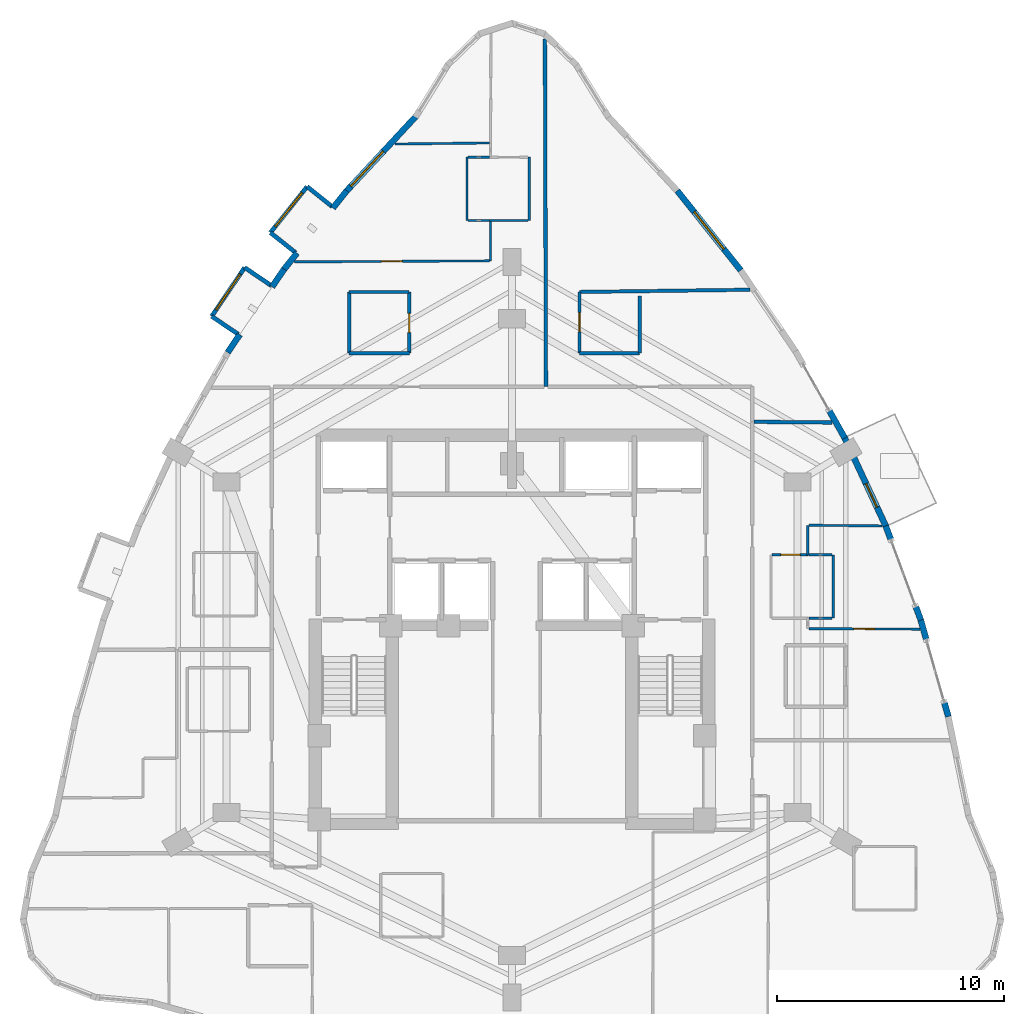
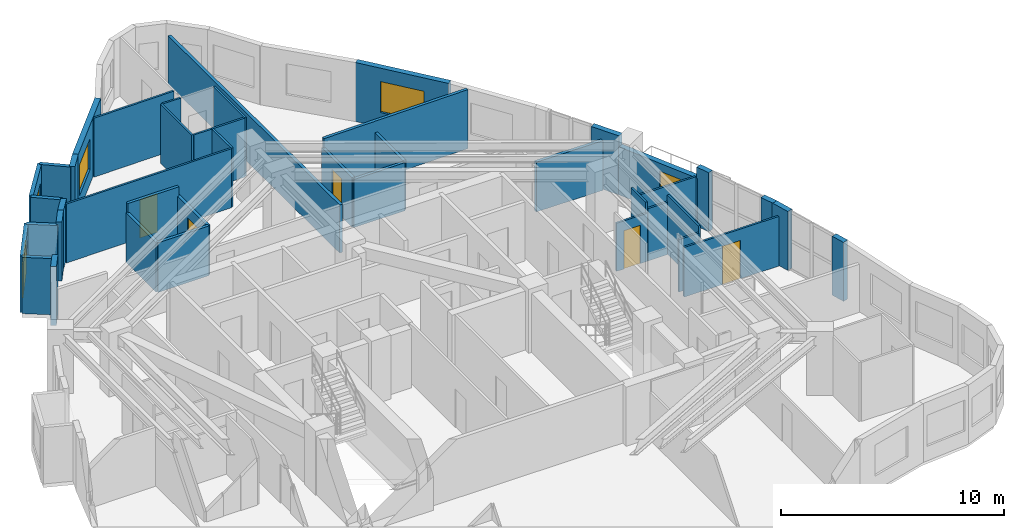
# One storey, part 12 of 14: 43 walls, 6 doors, 4 windows, 10 openings.
"""IFC4 building model written with IfcOpenShell, lengths in metres."""

from ifc_helpers import new_model, si_unit, direction, frame, frame_2d, origin, place, context, subcontext, project, spatial, rectangle, extrude, material, layer, layer_set, type_object, element, fill, save


model = new_model("IFC4")

# Units and contexts
model_context = context("Model", 3, precision=1e-05, world=origin(), true_north=direction((0.0, 1.0)))
body_context = subcontext(model_context, "Body", "Model", "MODEL_VIEW")
ifc_project = project(units=[si_unit("LENGTHUNIT", "METRE"), si_unit("AREAUNIT", "SQUARE_METRE"), si_unit("VOLUMEUNIT", "CUBIC_METRE"), si_unit("PLANEANGLEUNIT", "RADIAN"), si_unit("MASSUNIT", "GRAM", prefix="KILO")], contexts=[model_context])

# Site, building, storey
site_placement = place(None, origin())
site = spatial("IfcSite", under=ifc_project, at=site_placement, CompositionType="ELEMENT")
building_placement = place(site_placement, origin())
building = spatial("IfcBuilding", under=site, at=building_placement, Name="Miruveldt Soraemaru", CompositionType="ELEMENT")
storey_placement = place(building_placement, frame((0.0, 0.0, 142.39990234375)))
storey = spatial("IfcBuildingStorey", under=building, at=storey_placement, Name="L39", CompositionType="ELEMENT", Elevation=142.39990234375)

# Walls
ifc_material_1 = material(Name="White powder-coated aluminium EN AW-6060 T6", Category="aluminium")
ifc_layer_1 = layer(ifc_material_1, 0.18994140625, Name="White powder-coated aluminium EN AW-6060 T6", Category="aluminium")
ifc_layer_set_1 = layer_set([ifc_layer_1], Name="White powder-coated aluminium EN AW-6060 T6")
wall_type_1 = type_object("IfcWallType", Name="WALL-BAY-ALU190", PredefinedType="SOLIDWALL", material=ifc_layer_set_1)
wall_1_placement = place(storey_placement, frame((36.0712890625, 62.543701171875, 0.0), z_axis=(0.0, 0.0, 1.0), x_axis=(-0.781820714191, 0.623503304611, 0.0)))
element("IfcWall", 1, at=wall_1_placement, inside=storey, type_object=wall_type_1, Name="L39 Bay Window Side Cheek 3L", PredefinedType="SOLIDWALL", context=body_context, shape_type="SweptSolid", body=[
    extrude(rectangle(XDim=1.4248046875, YDim=0.18994140625, at=frame_2d((0.71240234375, 0.0))), origin(), (0.0, 0.0, 1.0), 3.235107421875),
])
wall_2_placement = place(storey_placement, frame((33.3359375, 61.399658203125, 0.0), z_axis=(0.0, 0.0, 1.0), x_axis=(0.781737193764, -0.623608017817, 0.0)))
element("IfcWall", 2, at=wall_2_placement, inside=storey, type_object=wall_type_1, Name="L39 Bay Window Side Cheek 3R", PredefinedType="SOLIDWALL", context=body_context, shape_type="SweptSolid", body=[
    extrude(rectangle(XDim=1.425048828125, YDim=0.18994140625, at=frame_2d((0.71240234375, 0.0))), origin(), (0.0, 0.0, 1.0), 3.235107421875),
])

# Wall, opening, window
wall_3_placement = place(storey_placement, frame((34.957275390625, 63.43212890625, 0.0), z_axis=(0.0, 0.0, 1.0), x_axis=(-0.623606546405, -0.781738367538, 0.0)))
wall_3 = element("IfcWall", 3, at=wall_3_placement, inside=storey, type_object=wall_type_1, Name="L39 Bay Window Front Frame 3", PredefinedType="SOLIDWALL", context=body_context, shape_type="SweptSolid", body=[
    extrude(rectangle(XDim=2.599853515625, YDim=0.18994140625, at=frame_2d((1.2998046875, 0.0))), origin(), (0.0, 0.0, 1.0), 3.235107421875),
])
opening_1_placement = place(wall_3_placement, frame((0.35009765625, 0.0, 0.550048828125)))
opening_1 = element("IfcOpeningElement", 4, at=opening_1_placement, cuts=wall_3, Name="Opening WN-6", PredefinedType="OPENING", context=body_context, shape_type="SweptSolid", body=[
    extrude(rectangle(XDim=1.89990234375, YDim=1.85009765625, at=frame_2d((0.949951171875, 0.925048828125))), frame((0.0, 0.10498046875, 0.0), z_axis=(0.0, -1.0, 0.0), x_axis=(1.0, 0.0, 0.0)), (0.0, 0.0, 1.0), 0.2099609375),
])
ifc_material_2 = material(Name="Triple low-e insulated glazing", Category="glass")
window_type_1 = type_object("IfcWindowType", Name="WIN-BAYW-1900x1850", PartitioningType="SINGLE_PANEL", PredefinedType="WINDOW", material=ifc_material_2)
window_1_placement = place(opening_1_placement, origin())
window_1 = element("IfcWindow", 5, at=window_1_placement, inside=storey, type_object=window_type_1, Name="L39 Projecting Bay Window 3", OverallHeight=1.85009765625, OverallWidth=1.89990234375, PartitioningType="SINGLE_PANEL", PredefinedType="WINDOW", context=body_context, shape_type="SweptSolid", body=[
    extrude(rectangle(XDim=1.89990234375, YDim=1.85009765625, at=frame_2d((0.949951171875, 0.925048828125))), frame((0.0, 0.030029296875, 0.0), z_axis=(0.0, -1.0, 0.0), x_axis=(1.0, 0.0, 0.0)), (0.0, 0.0, 1.0), 0.06005859375),
])
fill(opening_1, window_1)

# Walls
wall_4_placement = place(storey_placement, frame((33.380615234375, 59.059814453125, 0.0), z_axis=(0.0, 0.0, 1.0), x_axis=(-0.82794178844, 0.560814046681, 0.0)))
element("IfcWall", 6, at=wall_4_placement, inside=storey, type_object=wall_type_1, Name="L39 Bay Window Side Cheek 4L", PredefinedType="SOLIDWALL", context=body_context, shape_type="SweptSolid", body=[
    extrude(rectangle(XDim=1.4248046875, YDim=0.18994140625, at=frame_2d((0.71240234375, 0.0))), origin(), (0.0, 0.0, 1.0), 3.085205078125),
])
wall_5_placement = place(storey_placement, frame((30.742919921875, 57.706298828125, 0.0), z_axis=(0.0, 0.0, 1.0), x_axis=(0.827862228344, -0.560931485016, 0.0)))
element("IfcWall", 7, at=wall_5_placement, inside=storey, type_object=wall_type_1, Name="L39 Bay Window Side Cheek 4R", PredefinedType="SOLIDWALL", context=body_context, shape_type="SweptSolid", body=[
    extrude(rectangle(XDim=1.425048828125, YDim=0.18994140625, at=frame_2d((0.71240234375, 0.0))), origin(), (0.0, 0.0, 1.0), 3.085205078125),
])

# Wall, opening, window
wall_6_placement = place(storey_placement, frame((32.200927734375, 59.85888671875, 0.0), z_axis=(0.0, 0.0, 1.0), x_axis=(-0.560796235507, -0.827953852724, 0.0)))
wall_6 = element("IfcWall", 8, at=wall_6_placement, inside=storey, type_object=wall_type_1, Name="L39 Bay Window Front Frame 4", PredefinedType="SOLIDWALL", context=body_context, shape_type="SweptSolid", body=[
    extrude(rectangle(XDim=2.599853515625, YDim=0.18994140625, at=frame_2d((1.2998046875, 0.0))), origin(), (0.0, 0.0, 1.0), 3.085205078125),
])
opening_2_placement = place(wall_6_placement, frame((0.35009765625, 0.0, 0.550048828125)))
opening_2 = element("IfcOpeningElement", 9, at=opening_2_placement, cuts=wall_6, Name="Opening WN-6", PredefinedType="OPENING", context=body_context, shape_type="SweptSolid", body=[
    extrude(rectangle(XDim=1.89990234375, YDim=1.85009765625, at=frame_2d((0.949951171875, 0.925048828125))), frame((0.0, 0.10498046875, 0.0), z_axis=(0.0, -1.0, 0.0), x_axis=(1.0, 0.0, 0.0)), (0.0, 0.0, 1.0), 0.2099609375),
])
window_2_placement = place(opening_2_placement, origin())
window_2 = element("IfcWindow", 10, at=window_2_placement, inside=storey, type_object=window_type_1, Name="L39 Projecting Bay Window 4", OverallHeight=1.85009765625, OverallWidth=1.89990234375, PartitioningType="SINGLE_PANEL", PredefinedType="WINDOW", context=body_context, shape_type="SweptSolid", body=[
    extrude(rectangle(XDim=1.89990234375, YDim=1.85009765625, at=frame_2d((0.949951171875, 0.925048828125))), frame((0.0, 0.030029296875, 0.0), z_axis=(0.0, -1.0, 0.0), x_axis=(1.0, 0.0, 0.0)), (0.0, 0.0, 1.0), 0.06005859375),
])
fill(opening_2, window_2)

ifc_material_3 = material(Name="Precast concrete C45/55 (45 MPa)", Category="concrete")
ifc_layer_2 = layer(ifc_material_3, 0.27001953125, Name="Precast concrete C45/55 (45 MPa)", Category="concrete")
ifc_layer_set_2 = layer_set([ifc_layer_2], Name="Precast concrete C45/55 (45 MPa)")
wall_type_2 = type_object("IfcWallType", Name="WALL-EXT-PC270", PredefinedType="SOLIDWALL", material=ifc_layer_set_2)
wall_7_placement = place(storey_placement, frame((39.777099609375, 66.550537109375, 0.0), z_axis=(0.0, 0.0, 1.0), x_axis=(-0.680878509261, -0.732396378764, 0.0)))
wall_7 = element("IfcWall", 11, at=wall_7_placement, inside=storey, type_object=wall_type_2, Name="L39 Precast Concrete Facade Wall 7", PredefinedType="SOLIDWALL", context=body_context, shape_type="SweptSolid", body=[
    extrude(rectangle(XDim=4.577880859375, YDim=0.27001953125, at=frame_2d((2.2890625, 0.0))), origin(), (0.0, 0.0, 1.0), 3.235107421875),
])
opening_3_placement = place(wall_7_placement, frame((2.136962890625, 0.0, 0.800048828125)))
opening_3 = element("IfcOpeningElement", 12, at=opening_3_placement, cuts=wall_7, Name="Opening WN-1", PredefinedType="OPENING", context=body_context, shape_type="SweptSolid", body=[
    extrude(rectangle(XDim=2.10009765625, YDim=1.699951171875, at=frame_2d((1.050048828125, 0.85009765625))), frame((0.0, 0.14501953125, 0.0), z_axis=(0.0, -1.0, 0.0), x_axis=(1.0, 0.0, 0.0)), (0.0, 0.0, 1.0), 0.2900390625),
])
window_type_2 = type_object("IfcWindowType", Name="WIN-PUNCH-2100x1700", PartitioningType="SINGLE_PANEL", PredefinedType="WINDOW", material=ifc_material_2)
window_3_placement = place(opening_3_placement, origin())
window_3 = element("IfcWindow", 13, at=window_3_placement, inside=storey, type_object=window_type_2, Name="L39 Punched Triple-Glazed Window 07.1", OverallHeight=1.699951171875, OverallWidth=2.10009765625, PartitioningType="SINGLE_PANEL", PredefinedType="WINDOW", context=body_context, shape_type="SweptSolid", body=[
    extrude(rectangle(XDim=2.10009765625, YDim=1.699951171875, at=frame_2d((1.050048828125, 0.85009765625))), frame((0.0, 0.030029296875, 0.0), z_axis=(0.0, -1.0, 0.0), x_axis=(1.0, 0.0, 0.0)), (0.0, 0.0, 1.0), 0.06005859375),
])
fill(opening_3, window_3)

# Walls
wall_8_placement = place(storey_placement, frame((36.705810546875, 63.250732421875, 0.0), z_axis=(0.0, 0.0, 1.0), x_axis=(-0.62356848275, -0.781768730074, 0.0)))
element("IfcWall", 14, at=wall_8_placement, inside=storey, type_object=wall_type_2, Name="L39 Precast Pier Wall 8A", PredefinedType="SOLIDWALL", context=body_context, shape_type="SweptSolid", body=[
    extrude(rectangle(XDim=0.978515625, YDim=0.27001953125, at=frame_2d((0.4892578125, 0.0))), origin(), (0.0, 0.0, 1.0), 3.235107421875),
])
wall_9_placement = place(storey_placement, frame((34.51171875, 60.500244140625, 0.0), z_axis=(0.0, 0.0, 1.0), x_axis=(-0.623599331974, -0.781744122563, 0.0)))
element("IfcWall", 15, at=wall_9_placement, inside=storey, type_object=wall_type_2, Name="L39 Precast Pier Wall 8B", PredefinedType="SOLIDWALL", context=body_context, shape_type="SweptSolid", body=[
    extrude(rectangle(XDim=0.978759765625, YDim=0.27001953125, at=frame_2d((0.4892578125, 0.0))), origin(), (0.0, 0.0, 1.0), 3.235107421875),
])
for number, where, z_axis, x_axis, name in (
    (16, (33.94287109375, 59.79150390625, 0.0), (0.0, 0.0, 1.0), (-0.560904905039, -0.827880237415, 0.0), "L39 Precast Pier Wall 9A"),
    (17, (31.98486328125, 56.901123046875, 0.0), (0.0, 0.0, 1.0), (-0.560904905039, -0.827880237415, 0.0), "L39 Precast Pier Wall 9B"),
):
    element("IfcWall", number, at=place(storey_placement, frame(where, z_axis=z_axis, x_axis=x_axis)), inside=storey, type_object=wall_type_2, Name=name, PredefinedType="SOLIDWALL", context=body_context, shape_type="SweptSolid", body=[
        extrude(rectangle(XDim=0.950927734375, YDim=0.27001953125, at=frame_2d((0.4755859375, 0.0))), origin(), (0.0, 0.0, 1.0), 3.235107421875),
    ])
wall_10_placement = place(storey_placement, frame((63.260009765625, 40.038330078125, 0.0), z_axis=(0.0, 0.0, 1.0), x_axis=(-0.274904035169, 0.961471669602, 0.0)))
element("IfcWall", 18, at=wall_10_placement, inside=storey, type_object=wall_type_2, Name="L39 Precast Pier Left 36", PredefinedType="SOLIDWALL", context=body_context, shape_type="SweptSolid", body=[
    extrude(rectangle(XDim=0.705078125, YDim=0.27001953125, at=frame_2d((0.3525390625, 0.0))), origin(), (0.0, 0.0, 1.0), 3.235107421875),
])
wall_11_placement = place(storey_placement, frame((62.3037109375, 43.38232421875, 0.0), z_axis=(0.0, 0.0, 1.0), x_axis=(-0.27503753909, 0.961433488127, 0.0)))
element("IfcWall", 19, at=wall_11_placement, inside=storey, type_object=wall_type_2, Name="L39 Precast Pier Right 36", PredefinedType="SOLIDWALL", context=body_context, shape_type="SweptSolid", body=[
    extrude(rectangle(XDim=1.01904296875, YDim=0.27001953125, at=frame_2d((0.509521484375, 0.0))), origin(), (0.0, 0.0, 1.0), 3.235107421875),
])
wall_12_placement = place(storey_placement, frame((62.045166015625, 44.29541015625, 0.0), z_axis=(0.0, 0.0, 1.0), x_axis=(-0.348655911356, 0.937250796466, 0.0)))
element("IfcWall", 20, at=wall_12_placement, inside=storey, type_object=wall_type_2, Name="L39 Precast Pier Left 37", PredefinedType="SOLIDWALL", context=body_context, shape_type="SweptSolid", body=[
    extrude(rectangle(XDim=0.705078125, YDim=0.27001953125, at=frame_2d((0.3525390625, 0.0))), origin(), (0.0, 0.0, 1.0), 3.235107421875),
])
wall_13_placement = place(storey_placement, frame((60.740966796875, 47.797607421875, 0.0), z_axis=(0.0, 0.0, 1.0), x_axis=(-0.348960000238, 0.937137619688, 0.0)))
element("IfcWall", 21, at=wall_13_placement, inside=storey, type_object=wall_type_2, Name="L39 Precast Pier Right 37", PredefinedType="SOLIDWALL", context=body_context, shape_type="SweptSolid", body=[
    extrude(rectangle(XDim=0.705322265625, YDim=0.27001953125, at=frame_2d((0.3525390625, 0.0))), origin(), (0.0, 0.0, 1.0), 3.235107421875),
])

# Wall, opening, door
wall_14_placement = place(storey_placement, frame((60.521728515625, 48.393798828125, 0.0), z_axis=(0.0, 0.0, 1.0), x_axis=(-0.42228895576, 0.906461272114, 0.0)))
wall_14 = element("IfcWall", 22, at=wall_14_placement, inside=storey, type_object=wall_type_2, Name="L39 Precast Concrete Facade Wall 38", PredefinedType="SOLIDWALL", context=body_context, shape_type="SweptSolid", body=[
    extrude(rectangle(XDim=4.41455078125, YDim=0.27001953125, at=frame_2d((2.207275390625, 0.0))), origin(), (0.0, 0.0, 1.0), 2.635009765625),
])
opening_4_placement = place(wall_14_placement, frame((0.97607421875, 0.0, 0.0)))
opening_4 = element("IfcOpeningElement", 23, at=opening_4_placement, cuts=wall_14, Name="Opening TD-2", PredefinedType="OPENING", context=body_context, shape_type="SweptSolid", body=[
    extrude(rectangle(XDim=1.14990234375, YDim=2.199951171875, at=frame_2d((0.574951171875, 1.10009765625))), frame((0.0, 0.14501953125, 0.0), z_axis=(0.0, -1.0, 0.0), x_axis=(1.0, 0.0, 0.0)), (0.0, 0.0, 1.0), 0.2900390625),
])
ifc_material_4 = material(Name="Anodised aluminium EN AW-6063 T6", Category="aluminium")
door_type_1 = type_object("IfcDoorType", Name="DOOR-SG-1150", OperationType="NOTDEFINED", PredefinedType="DOOR", material=ifc_material_4)
door_1_placement = place(opening_4_placement, frame((1.14990234375, 0.0, 0.0), z_axis=(0.0, 0.0, 1.0), x_axis=(-1.0, 0.0, 0.0)))
door_1 = element("IfcDoor", 24, at=door_1_placement, inside=storey, type_object=door_type_1, Name="L39 Terrace Access Glazed Door 38", OperationType="SINGLE_SWING_RIGHT", OverallHeight=2.199951171875, OverallWidth=1.14990234375, PredefinedType="DOOR", context=body_context, shape_type="SweptSolid", body=[
    extrude(rectangle(XDim=1.14990234375, YDim=2.199951171875, at=frame_2d((0.574951171875, 1.10009765625))), frame((0.0, 0.02490234375, 0.0), z_axis=(0.0, -1.0, 0.0), x_axis=(1.0, 0.0, 0.0)), (0.0, 0.0, 1.0), 0.050048828125),
])
fill(opening_4, door_1)

# Wall
wall_15_placement = place(storey_placement, frame((58.689697265625, 52.333251953125, 0.0), z_axis=(0.0, 0.0, 1.0), x_axis=(-0.493474907716, 0.869760033259, 0.0)))
element("IfcWall", 25, at=wall_15_placement, inside=storey, type_object=wall_type_2, Name="L39 Precast Pier Left 39", PredefinedType="SOLIDWALL", context=body_context, shape_type="SweptSolid", body=[
    extrude(rectangle(XDim=1.4521484375, YDim=0.27001953125, at=frame_2d((0.72607421875, 0.0))), origin(), (0.0, 0.0, 1.0), 3.235107421875),
])

# Wall, opening, window
wall_16_placement = place(storey_placement, frame((54.0986328125, 59.735107421875, 0.0), z_axis=(0.0, 0.0, 1.0), x_axis=(-0.623602063154, 0.781741943886, 0.0)))
wall_16 = element("IfcWall", 26, at=wall_16_placement, inside=storey, type_object=wall_type_2, Name="L39 Precast Concrete Facade Wall 41", PredefinedType="SOLIDWALL", context=body_context, shape_type="SweptSolid", body=[
    extrude(rectangle(XDim=4.4970703125, YDim=0.27001953125, at=frame_2d((2.24853515625, 0.0))), origin(), (0.0, 0.0, 1.0), 3.235107421875),
])
opening_5_placement = place(wall_16_placement, frame((1.197998046875, 0.0, 0.800048828125)))
opening_5 = element("IfcOpeningElement", 27, at=opening_5_placement, cuts=wall_16, Name="Opening WN-1", PredefinedType="OPENING", context=body_context, shape_type="SweptSolid", body=[
    extrude(rectangle(XDim=2.10009765625, YDim=1.699951171875, at=frame_2d((1.050048828125, 0.85009765625))), frame((0.0, 0.14501953125, 0.0), z_axis=(0.0, -1.0, 0.0), x_axis=(1.0, 0.0, 0.0)), (0.0, 0.0, 1.0), 0.2900390625),
])
window_4_placement = place(opening_5_placement, origin())
window_4 = element("IfcWindow", 28, at=window_4_placement, inside=storey, type_object=window_type_2, Name="L39 Punched Triple-Glazed Window 41.1", OverallHeight=1.699951171875, OverallWidth=2.10009765625, PartitioningType="SINGLE_PANEL", PredefinedType="WINDOW", context=body_context, shape_type="SweptSolid", body=[
    extrude(rectangle(XDim=2.10009765625, YDim=1.699951171875, at=frame_2d((1.050048828125, 0.85009765625))), frame((0.0, 0.030029296875, 0.0), z_axis=(0.0, -1.0, 0.0), x_axis=(1.0, 0.0, 0.0)), (0.0, 0.0, 1.0), 0.06005859375),
])
fill(opening_5, window_4)

# Wall, opening, door
ifc_material_5 = material(Name="Gypsum plasterboard lining", Category="gypsum")
ifc_layer_3 = layer(ifc_material_5, 0.10009765625, Name="Gypsum plasterboard lining", Category="gypsum")
ifc_layer_set_3 = layer_set([ifc_layer_3], Name="Gypsum plasterboard lining")
wall_type_3 = type_object("IfcWallType", Name="WALL-INT-P100", PredefinedType="PARTITIONING", material=ifc_layer_set_3)
wall_17_placement = place(storey_placement, frame((43.0, 60.153076171875, 0.0), z_axis=(0.0, 0.0, 1.0), x_axis=(-0.999986823404, -0.005133519061, 0.0)))
wall_17 = element("IfcWall", 29, at=wall_17_placement, inside=storey, type_object=wall_type_3, Name="L39 Partition Wall 22", PredefinedType="PARTITIONING", context=body_context, shape_type="SweptSolid", body=[
    extrude(rectangle(XDim=8.60791015625, YDim=0.10009765625, at=frame_2d((4.303955078125, 0.0))), origin(), (0.0, 0.0, 1.0), 3.235107421875),
])
opening_6_placement = place(wall_17_placement, frame((3.843994140625, 0.0, 0.0)))
opening_6 = element("IfcOpeningElement", 30, at=opening_6_placement, cuts=wall_17, Name="Opening D3A", PredefinedType="OPENING", context=body_context, shape_type="SweptSolid", body=[
    extrude(rectangle(XDim=0.919921875, YDim=2.10009765625, at=frame_2d((0.4599609375, 1.050048828125))), frame((0.0, 0.06005859375, 0.0), z_axis=(0.0, -1.0, 0.0), x_axis=(1.0, 0.0, 0.0)), (0.0, 0.0, 1.0), 0.1201171875),
])
door_type_2 = type_object("IfcDoorType", Name="DOOR-INT-920", OperationType="NOTDEFINED", PredefinedType="DOOR", material=ifc_material_4)
door_2_placement = place(opening_6_placement, origin())
door_2 = element("IfcDoor", 31, at=door_2_placement, inside=storey, type_object=door_type_2, Name="L39 Unit 3901 BD1 Door", OperationType="SINGLE_SWING_LEFT", OverallHeight=2.10009765625, OverallWidth=0.919921875, PredefinedType="DOOR", context=body_context, shape_type="SweptSolid", body=[
    extrude(rectangle(XDim=0.919921875, YDim=2.10009765625, at=frame_2d((0.4599609375, 1.050048828125))), frame((0.0, 0.02490234375, 0.0), z_axis=(0.0, -1.0, 0.0), x_axis=(1.0, 0.0, 0.0)), (0.0, 0.0, 1.0), 0.050048828125),
])
fill(opening_6, door_2)

wall_18_placement = place(storey_placement, frame((62.0, 43.89892578125, 0.0), z_axis=(0.0, 0.0, 1.0), x_axis=(-0.999992448042, 0.003886368258, 0.0)))
wall_18 = element("IfcWall", 32, at=wall_18_placement, inside=storey, type_object=wall_type_3, Name="L39 Partition Wall 73", PredefinedType="PARTITIONING", context=body_context, shape_type="SweptSolid", body=[
    extrude(rectangle(XDim=4.89990234375, YDim=0.10009765625, at=frame_2d((2.449951171875, 0.0))), origin(), (0.0, 0.0, 1.0), 2.72314453125),
])
opening_7_placement = place(wall_18_placement, frame((1.989990234375, 0.0, 0.0)))
opening_7 = element("IfcOpeningElement", 33, at=opening_7_placement, cuts=wall_18, Name="Opening D3A", PredefinedType="OPENING", context=body_context, shape_type="SweptSolid", body=[
    extrude(rectangle(XDim=0.919921875, YDim=2.10009765625, at=frame_2d((0.4599609375, 1.050048828125))), frame((0.0, 0.06005859375, 0.0), z_axis=(0.0, -1.0, 0.0), x_axis=(1.0, 0.0, 0.0)), (0.0, 0.0, 1.0), 0.1201171875),
])
door_3_placement = place(opening_7_placement, origin())
door_3 = element("IfcDoor", 34, at=door_3_placement, inside=storey, type_object=door_type_2, Name="L39 Unit 3907 BD1 Door", OperationType="SINGLE_SWING_LEFT", OverallHeight=2.10009765625, OverallWidth=0.919921875, PredefinedType="DOOR", context=body_context, shape_type="SweptSolid", body=[
    extrude(rectangle(XDim=0.919921875, YDim=2.10009765625, at=frame_2d((0.4599609375, 1.050048828125))), frame((0.0, 0.02490234375, 0.0), z_axis=(0.0, -1.0, 0.0), x_axis=(1.0, 0.0, 0.0)), (0.0, 0.0, 1.0), 0.050048828125),
])
fill(opening_7, door_3)

wall_19_placement = place(storey_placement, frame((57.090087890625, 47.180908203125, 0.0), z_axis=(0.0, 0.0, 1.0), x_axis=(-1.0, 0.0, 0.0)))
wall_19 = element("IfcWall", 35, at=wall_19_placement, inside=storey, type_object=wall_type_3, Name="L39 Partition Wall 70", PredefinedType="PARTITIONING", context=body_context, shape_type="SweptSolid", body=[
    extrude(rectangle(XDim=1.610107421875, YDim=0.10009765625, at=frame_2d((0.80517578125, 0.0))), origin(), (0.0, 0.0, 1.0), 2.635009765625),
])
opening_8_placement = place(wall_19_placement, frame((0.375, 0.0, 0.0)))
opening_8 = element("IfcOpeningElement", 36, at=opening_8_placement, cuts=wall_19, Name="Opening FD3", PredefinedType="OPENING", context=body_context, shape_type="SweptSolid", body=[
    extrude(rectangle(XDim=0.85009765625, YDim=2.10009765625, at=frame_2d((0.425048828125, 1.050048828125))), frame((0.0, 0.06005859375, 0.0), z_axis=(0.0, -1.0, 0.0), x_axis=(1.0, 0.0, 0.0)), (0.0, 0.0, 1.0), 0.1201171875),
])
door_type_3 = type_object("IfcDoorType", Name="DOOR-FD3-850", OperationType="NOTDEFINED", PredefinedType="DOOR", material=ifc_material_4)
door_4_placement = place(opening_8_placement, origin())
door_4 = element("IfcDoor", 37, at=door_4_placement, inside=storey, type_object=door_type_3, Name="L39 Unit 3907 KIT Door", OperationType="SINGLE_SWING_RIGHT", OverallHeight=2.10009765625, OverallWidth=0.85009765625, PredefinedType="DOOR", context=body_context, shape_type="SweptSolid", body=[
    extrude(rectangle(XDim=0.85009765625, YDim=2.10009765625, at=frame_2d((0.425048828125, 1.050048828125))), frame((0.0, 0.02490234375, 0.0), z_axis=(0.0, -1.0, 0.0), x_axis=(1.0, 0.0, 0.0)), (0.0, 0.0, 1.0), 0.050048828125),
])
fill(opening_8, door_4)

# Walls
wall_20_placement = place(storey_placement, frame((43.0, 65.35595703125, 0.0), z_axis=(0.0, 0.0, 1.0), x_axis=(-0.999936890019, -0.0112345885, 0.0)))
element("IfcWall", 38, at=wall_20_placement, inside=storey, type_object=wall_type_3, Name="L39 Partition Wall 29", PredefinedType="PARTITIONING", context=body_context, shape_type="SweptSolid", body=[
    extrude(rectangle(XDim=4.17236328125, YDim=0.10009765625, at=frame_2d((2.086181640625, 0.0))), origin(), (0.0, 0.0, 1.0), 3.235107421875),
])
wall_21_placement = place(storey_placement, frame((57.10009765625, 48.48388671875, 0.0), z_axis=(0.0, 0.0, 1.0), x_axis=(0.999960172829, -0.008924839301, 0.0)))
element("IfcWall", 39, at=wall_21_placement, inside=storey, type_object=wall_type_3, Name="L39 Partition Wall 76", PredefinedType="PARTITIONING", context=body_context, shape_type="SweptSolid", body=[
    extrude(rectangle(XDim=3.22802734375, YDim=0.10009765625, at=frame_2d((1.614013671875, 0.0))), origin(), (0.0, 0.0, 1.0), 2.72314453125),
])
for number, where, z_axis, x_axis, name in (
    (40, (44.764892578125, 61.929931640625, 0.0), (0.0, 0.0, 1.0), (0.0, 1.0, 0.0), "L39 Partition Wall 17"),
    (41, (42.014892578125, 64.72998046875, 0.0), (0.0, 0.0, 1.0), (0.0, -1.0, 0.0), "L39 Partition Wall 27"),
):
    element("IfcWall", number, at=place(storey_placement, frame(where, z_axis=z_axis, x_axis=x_axis)), inside=storey, type_object=wall_type_3, Name=name, PredefinedType="PARTITIONING", context=body_context, shape_type="SweptSolid", body=[
        extrude(rectangle(XDim=2.800048828125, YDim=0.10009765625, at=frame_2d((1.39990234375, 0.0))), origin(), (0.0, 0.0, 1.0), 3.235107421875),
    ])
wall_22_placement = place(storey_placement, frame((58.179931640625, 44.381103515625, 0.0), z_axis=(0.0, 0.0, 1.0), x_axis=(0.0, 1.0, 0.0)))
element("IfcWall", 42, at=wall_22_placement, inside=storey, type_object=wall_type_3, Name="L39 Partition Wall 78", PredefinedType="PARTITIONING", context=body_context, shape_type="SweptSolid", body=[
    extrude(rectangle(XDim=2.7998046875, YDim=0.10009765625, at=frame_2d((1.39990234375, 0.0))), origin(), (0.0, 0.0, 1.0), 3.235107421875),
])
wall_23_placement = place(storey_placement, frame((43.050048828125, 61.929931640625, 0.0), z_axis=(0.0, 0.0, 1.0), x_axis=(0.0, -1.0, 0.0)))
element("IfcWall", 43, at=wall_23_placement, inside=storey, type_object=wall_type_3, Name="L39 Partition Wall 21", PredefinedType="PARTITIONING", context=body_context, shape_type="SweptSolid", body=[
    extrude(rectangle(XDim=1.77685546875, YDim=0.10009765625, at=frame_2d((0.888427734375, 0.0))), origin(), (0.0, 0.0, 1.0), 3.235107421875),
])
wall_24_placement = place(storey_placement, frame((43.010009765625, 61.929931640625, 0.0), z_axis=(0.0, 0.0, 1.0), x_axis=(1.0, 0.0, 0.0)))
element("IfcWall", 44, at=wall_24_placement, inside=storey, type_object=wall_type_3, Name="L39 Partition Wall 19", PredefinedType="PARTITIONING", context=body_context, shape_type="SweptSolid", body=[
    extrude(rectangle(XDim=1.705078125, YDim=0.10009765625, at=frame_2d((0.8525390625, 0.0))), origin(), (0.0, 0.0, 1.0), 3.235107421875),
])
wall_25_placement = place(storey_placement, frame((57.050048828125, 47.180908203125, 0.0), z_axis=(0.0, 0.0, 1.0), x_axis=(0.0, 1.0, 0.0)))
element("IfcWall", 45, at=wall_25_placement, inside=storey, type_object=wall_type_3, Name="L39 Partition Wall 75", PredefinedType="PARTITIONING", context=body_context, shape_type="SweptSolid", body=[
    extrude(rectangle(XDim=1.302978515625, YDim=0.10009765625, at=frame_2d((0.6513671875, 0.0))), origin(), (0.0, 0.0, 1.0), 3.235107421875),
])
for number, where, z_axis, x_axis, name in (
    (46, (57.10009765625, 44.381103515625, 0.0), (0.0, 0.0, 1.0), (1.0, 0.0, 0.0), "L39 Partition Wall 77"),
    (47, (58.1298828125, 47.180908203125, 0.0), (0.0, 0.0, 1.0), (-1.0, 0.0, 0.0), "L39 Partition Wall 79"),
):
    element("IfcWall", number, at=place(storey_placement, frame(where, z_axis=z_axis, x_axis=x_axis)), inside=storey, type_object=wall_type_3, Name=name, PredefinedType="PARTITIONING", context=body_context, shape_type="SweptSolid", body=[
        extrude(rectangle(XDim=1.02978515625, YDim=0.10009765625, at=frame_2d((0.514892578125, 0.0))), origin(), (0.0, 0.0, 1.0), 2.873046875),
    ])
for number, where, z_axis, x_axis, name in (
    (48, (43.0, 64.72998046875, 0.0), (0.0, 0.0, 1.0), (-1.0, 0.0, 0.0), "L39 Partition Wall 26"),
    (49, (42.06494140625, 61.929931640625, 0.0), (0.0, 0.0, 1.0), (1.0, 0.0, 0.0), "L39 Partition Wall 28"),
):
    element("IfcWall", number, at=place(storey_placement, frame(where, z_axis=z_axis, x_axis=x_axis)), inside=storey, type_object=wall_type_3, Name=name, PredefinedType="PARTITIONING", context=body_context, shape_type="SweptSolid", body=[
        extrude(rectangle(XDim=0.93505859375, YDim=0.10009765625, at=frame_2d((0.467529296875, 0.0))), origin(), (0.0, 0.0, 1.0), 3.235107421875),
    ])

# Wall, opening, door
ifc_layer_4 = layer(ifc_material_5, 0.14990234375, Name="Gypsum plasterboard lining", Category="gypsum")
ifc_layer_set_4 = layer_set([ifc_layer_4], Name="Gypsum plasterboard lining")
wall_type_4 = type_object("IfcWallType", Name="WALL-INT-PLUMB", PredefinedType="PLUMBINGWALL", material=ifc_layer_set_4)
wall_26_placement = place(storey_placement, frame((39.465087890625, 56.080078125, 0.0), z_axis=(0.0, 0.0, 1.0), x_axis=(0.0, 1.0, 0.0)))
wall_26 = element("IfcWall", 50, at=wall_26_placement, inside=storey, type_object=wall_type_4, Name="L39 Partition Wall 13", PredefinedType="PLUMBINGWALL", context=body_context, shape_type="SweptSolid", body=[
    extrude(rectangle(XDim=2.699951171875, YDim=0.14990234375, at=frame_2d((1.35009765625, 0.0))), origin(), (0.0, 0.0, 1.0), 2.72314453125),
])
opening_9_placement = place(wall_26_placement, frame((0.909912109375, 0.0, 0.0)))
opening_9 = element("IfcOpeningElement", 51, at=opening_9_placement, cuts=wall_26, Name="Opening FD3", PredefinedType="OPENING", context=body_context, shape_type="SweptSolid", body=[
    extrude(rectangle(XDim=0.85009765625, YDim=2.10009765625, at=frame_2d((0.425048828125, 1.050048828125))), frame((0.0, 0.0849609375, 0.0), z_axis=(0.0, -1.0, 0.0), x_axis=(1.0, 0.0, 0.0)), (0.0, 0.0, 1.0), 0.169921875),
])
door_5_placement = place(opening_9_placement, origin())
door_5 = element("IfcDoor", 52, at=door_5_placement, inside=storey, type_object=door_type_3, Name="L39 Unit 3901 BTH Door", OperationType="SINGLE_SWING_LEFT", OverallHeight=2.10009765625, OverallWidth=0.85009765625, PredefinedType="DOOR", context=body_context, shape_type="SweptSolid", body=[
    extrude(rectangle(XDim=0.85009765625, YDim=2.10009765625, at=frame_2d((0.425048828125, 1.050048828125))), frame((0.0, 0.02490234375, 0.0), z_axis=(0.0, -1.0, 0.0), x_axis=(1.0, 0.0, 0.0)), (0.0, 0.0, 1.0), 0.050048828125),
])
fill(opening_9, door_5)

wall_27_placement = place(storey_placement, frame((46.98095703125, 58.780029296875, 0.0), z_axis=(0.0, 0.0, 1.0), x_axis=(0.0, -1.0, 0.0)))
wall_27 = element("IfcWall", 53, at=wall_27_placement, inside=storey, type_object=wall_type_4, Name="L39 Partition Wall 31", PredefinedType="PLUMBINGWALL", context=body_context, shape_type="SweptSolid", body=[
    extrude(rectangle(XDim=2.699951171875, YDim=0.14990234375, at=frame_2d((1.35009765625, 0.0))), origin(), (0.0, 0.0, 1.0), 2.72314453125),
])
opening_10_placement = place(wall_27_placement, frame((0.909912109375, 0.0, 0.0)))
opening_10 = element("IfcOpeningElement", 54, at=opening_10_placement, cuts=wall_27, Name="Opening FD3", PredefinedType="OPENING", context=body_context, shape_type="SweptSolid", body=[
    extrude(rectangle(XDim=0.85009765625, YDim=2.10009765625, at=frame_2d((0.425048828125, 1.050048828125))), frame((0.0, 0.0849609375, 0.0), z_axis=(0.0, -1.0, 0.0), x_axis=(1.0, 0.0, 0.0)), (0.0, 0.0, 1.0), 0.169921875),
])
door_6_placement = place(opening_10_placement, origin())
door_6 = element("IfcDoor", 55, at=door_6_placement, inside=storey, type_object=door_type_3, Name="L39 Unit CL02 BTH Door", OperationType="SINGLE_SWING_RIGHT", OverallHeight=2.10009765625, OverallWidth=0.85009765625, PredefinedType="DOOR", context=body_context, shape_type="SweptSolid", body=[
    extrude(rectangle(XDim=0.85009765625, YDim=2.10009765625, at=frame_2d((0.425048828125, 1.050048828125))), frame((0.0, 0.02490234375, 0.0), z_axis=(0.0, -1.0, 0.0), x_axis=(1.0, 0.0, 0.0)), (0.0, 0.0, 1.0), 0.050048828125),
])
fill(opening_10, door_6)

# Walls
wall_28_placement = place(storey_placement, frame((54.503173828125, 58.87841796875, 0.0), z_axis=(0.0, 0.0, 1.0), x_axis=(-0.999914471119, -0.013078625551, 0.0)))
element("IfcWall", 56, at=wall_28_placement, inside=storey, type_object=wall_type_4, Name="L39 Partition Wall 80", PredefinedType="PLUMBINGWALL", context=body_context, shape_type="SweptSolid", body=[
    extrude(rectangle(XDim=7.52294921875, YDim=0.14990234375, at=frame_2d((3.761474609375, 0.0))), origin(), (0.0, 0.0, 1.0), 3.235107421875),
])
wall_29_placement = place(storey_placement, frame((36.81494140625, 58.780029296875, 0.0), z_axis=(0.0, 0.0, 1.0), x_axis=(0.0, -1.0, 0.0)))
element("IfcWall", 57, at=wall_29_placement, inside=storey, type_object=wall_type_4, Name="L39 Partition Wall 15", PredefinedType="PLUMBINGWALL", context=body_context, shape_type="SweptSolid", body=[
    extrude(rectangle(XDim=2.699951171875, YDim=0.14990234375, at=frame_2d((1.35009765625, 0.0))), origin(), (0.0, 0.0, 1.0), 2.72314453125),
])
wall_30_placement = place(storey_placement, frame((39.465087890625, 58.780029296875, 0.0), z_axis=(0.0, 0.0, 1.0), x_axis=(-1.0, 0.0, 0.0)))
element("IfcWall", 58, at=wall_30_placement, inside=storey, type_object=wall_type_4, Name="L39 Partition Wall 14", PredefinedType="PLUMBINGWALL", context=body_context, shape_type="SweptSolid", body=[
    extrude(rectangle(XDim=2.650146484375, YDim=0.14990234375, at=frame_2d((1.3251953125, 0.0))), origin(), (0.0, 0.0, 1.0), 3.235107421875),
])
wall_31_placement = place(storey_placement, frame((36.81494140625, 56.080078125, 0.0), z_axis=(0.0, 0.0, 1.0), x_axis=(1.0, 0.0, 0.0)))
element("IfcWall", 59, at=wall_31_placement, inside=storey, type_object=wall_type_4, Name="L39 Partition Wall 16", PredefinedType="PLUMBINGWALL", context=body_context, shape_type="SweptSolid", body=[
    extrude(rectangle(XDim=2.650146484375, YDim=0.14990234375, at=frame_2d((1.3251953125, 0.0))), origin(), (0.0, 0.0, 1.0), 2.72314453125),
])
wall_32_placement = place(storey_placement, frame((46.98095703125, 56.080078125, 0.0), z_axis=(0.0, 0.0, 1.0), x_axis=(1.0, 0.0, 0.0)))
element("IfcWall", 60, at=wall_32_placement, inside=storey, type_object=wall_type_4, Name="L39 Partition Wall 32", PredefinedType="PLUMBINGWALL", context=body_context, shape_type="SweptSolid", body=[
    extrude(rectangle(XDim=2.650146484375, YDim=0.14990234375, at=frame_2d((1.3251953125, 0.0))), origin(), (0.0, 0.0, 1.0), 2.635009765625),
])
wall_33_placement = place(storey_placement, frame((49.631103515625, 56.080078125, 0.0), z_axis=(0.0, 0.0, 1.0), x_axis=(0.0, 1.0, 0.0)))
element("IfcWall", 61, at=wall_33_placement, inside=storey, type_object=wall_type_4, Name="L39 Partition Wall 30", PredefinedType="PLUMBINGWALL", context=body_context, shape_type="SweptSolid", body=[
    extrude(rectangle(XDim=2.52197265625, YDim=0.14990234375, at=frame_2d((1.260986328125, 0.0))), origin(), (0.0, 0.0, 1.0), 2.72314453125),
])
ifc_material_6 = material(Name="Concrete C40/50 (40 MPa)", Category="concrete")
ifc_layer_5 = layer(ifc_material_6, 0.159912109375, Name="Concrete C40/50 (40 MPa)", Category="concrete")
ifc_layer_set_5 = layer_set([ifc_layer_5], Name="Concrete C40/50 (40 MPa)")
wall_type_5 = type_object("IfcWallType", Name="WALL-INT-RC160", PredefinedType="SOLIDWALL", material=ifc_layer_set_5)
wall_34_placement = place(storey_placement, frame((45.5, 54.60302734375, 0.0), z_axis=(0.0, 0.0, 1.0), x_axis=(-0.00307205987, 0.999995281213, 0.0)))
element("IfcWall", 62, at=wall_34_placement, inside=storey, type_object=wall_type_5, Name="L39 Partition Wall 24", PredefinedType="SOLIDWALL", context=body_context, shape_type="SweptSolid", body=[
    extrude(rectangle(XDim=15.337890625, YDim=0.159912109375, at=frame_2d((7.6689453125, 0.0))), origin(), (0.0, 0.0, 1.0), 2.635009765625),
])
wall_35_placement = place(storey_placement, frame((54.68505859375, 53.049072265625, 0.0), z_axis=(0.0, 0.0, 1.0), x_axis=(0.999959473109, -0.00900289615, 0.0)))
element("IfcWall", 63, at=wall_35_placement, inside=storey, type_object=wall_type_5, Name="L39 Partition Wall 33", PredefinedType="SOLIDWALL", context=body_context, shape_type="SweptSolid", body=[
    extrude(rectangle(XDim=3.444091796875, YDim=0.159912109375, at=frame_2d((1.72216796875, 0.0))), origin(), (0.0, 0.0, 1.0), 2.72314453125),
])

save(model, "model.ifc")
